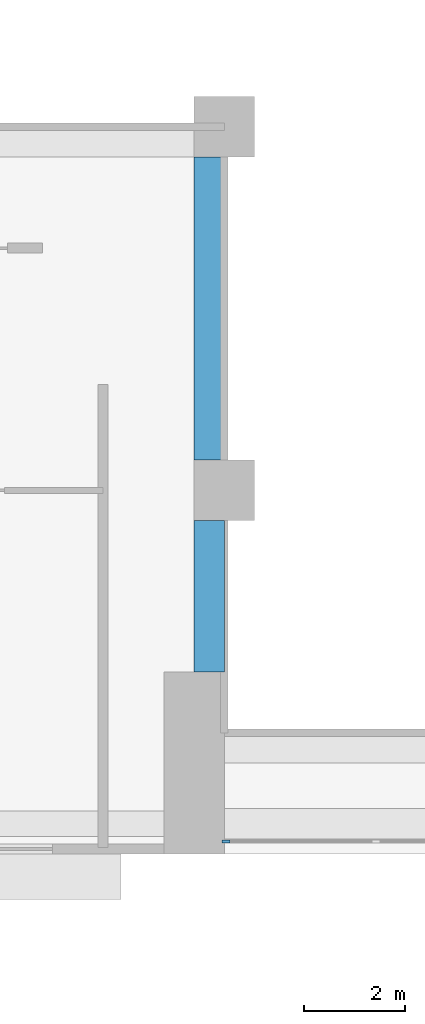
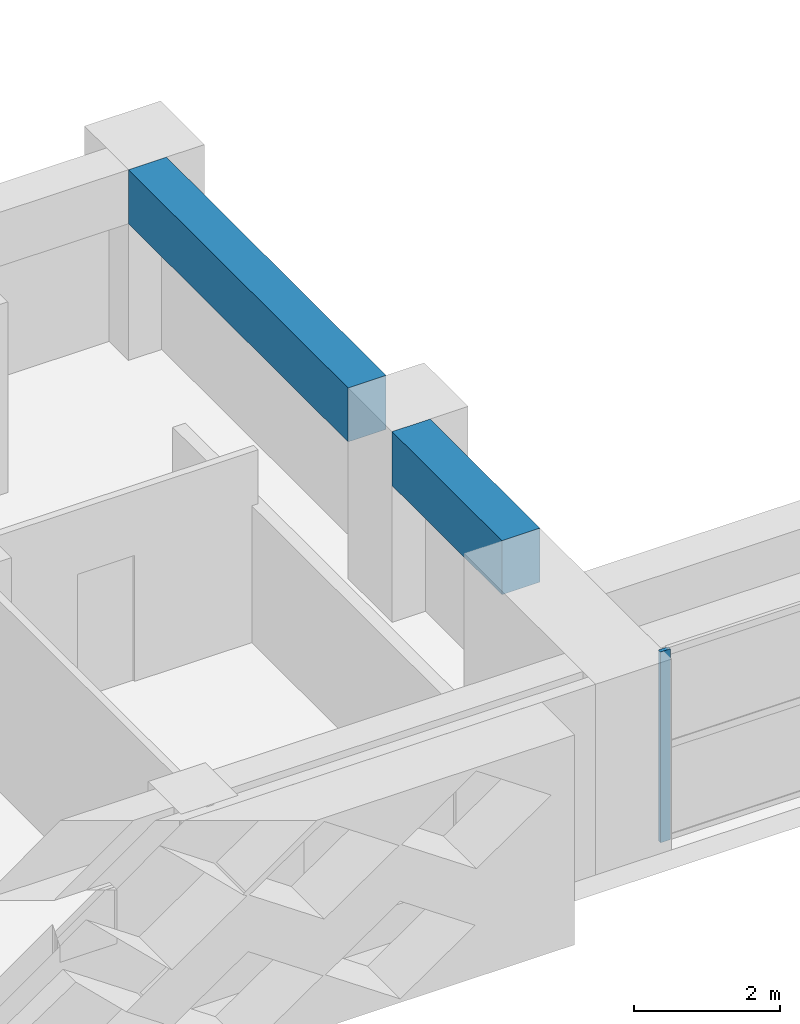
# One storey, part 2 of 17: 2 beams, 1 member, 1 element without a shape of its own.
"""IFC4 building model written with IfcOpenShell, lengths in metres."""

from ifc_helpers import new_model, si_unit, direction, frame, origin, origin_2d, place, context, subcontext, project, spatial, rectangle, extrude, source, transform, mapped, material, layer, layer_set, material_profile, profile_set, type_object, element, aggregate, save


model = new_model("IFC4")

# Units and contexts
model_context = context("Model", 3, precision=1e-05, world=origin(), true_north=direction((0.0, 1.0)))
body_context = subcontext(model_context, "Body", "Model", "MODEL_VIEW")
ifc_project = project(units=[si_unit("LENGTHUNIT", "METRE"), si_unit("AREAUNIT", "SQUARE_METRE"), si_unit("VOLUMEUNIT", "CUBIC_METRE"), si_unit("PLANEANGLEUNIT", "RADIAN"), si_unit("MASSUNIT", "GRAM", prefix="KILO")], contexts=[model_context])

# Site, building, storey
site_placement = place(None, origin())
site = spatial("IfcSite", under=ifc_project, at=site_placement, CompositionType="ELEMENT")
building_placement = place(site_placement, origin())
building = spatial("IfcBuilding", under=site, at=building_placement, Name="Saffron Iwan Residences", CompositionType="ELEMENT")
storey_placement = place(building_placement, frame((0.0, 0.0, 100.5)))
storey = spatial("IfcBuildingStorey", under=building, at=storey_placement, Name="L26", CompositionType="ELEMENT", Elevation=100.5)

# Beams
ifc_material_1 = material(Name="Concrete C60/75", Category="concrete")
ifc_material_profile_1 = material_profile(ifc_material_1, rectangle(XDim=0.60009765625, YDim=0.89990234375, at=origin_2d()), Name="RC 600x900")
ifc_profile_set_1 = profile_set([ifc_material_profile_1], Name="Concrete C60/75")
beam_type = type_object("IfcBeamType", Name="BEAM RC 600x900 C60/75 TOP 3180", PredefinedType="BEAM", material=ifc_profile_set_1)
shared_shape_1 = source(origin(), body_context, "Body", "SweptSolid", [
    extrude(rectangle(XDim=0.60009765625, YDim=0.89990234375, at=origin_2d()), origin(), (0.0, 0.0, 1.0), 3.0),
])
beam_1_placement = place(storey_placement, frame((42.89990234375, 37.199951171875, 2.72998046875), z_axis=(0.0, 1.0, 0.0), x_axis=(-1.0, 0.0, 0.0)))
element("IfcBeam", 1, at=beam_1_placement, inside=storey, type_object=beam_type, Name="Atrium edge beam", PredefinedType="BEAM", context=body_context, shape_type="MappedRepresentation", body=[
    mapped(shared_shape_1, transform((0.0, 0.0, 0.0))),
])
shared_shape_2 = source(origin(), body_context, "Body", "SweptSolid", [
    extrude(rectangle(XDim=0.60009765625, YDim=0.89990234375, at=origin_2d()), origin(), (0.0, 0.0, 1.0), 6.0),
])
beam_2_placement = place(storey_placement, frame((42.89990234375, 41.39990234375, 2.72998046875), z_axis=(0.0, 1.0, 0.0), x_axis=(-1.0, 0.0, 0.0)))
element("IfcBeam", 2, at=beam_2_placement, inside=storey, type_object=beam_type, Name="Atrium edge beam", PredefinedType="BEAM", context=body_context, shape_type="MappedRepresentation", body=[
    mapped(shared_shape_2, transform((0.0, 0.0, 0.0))),
])

# Curtain wall, member
ifc_material_2 = material(Name="Clear glass, laminated double glazed", Category="glass")
ifc_layer = layer(ifc_material_2, 0.199951171875)
ifc_layer_set = layer_set([ifc_layer], Name="Clear glass, laminated double glazed")
curtain_wall_type = type_object("IfcCurtainWallType", Name="CW-B IWAN PORTAL", PredefinedType="NOTDEFINED", material=ifc_layer_set)
curtain_wall_placement = place(storey_placement, origin())
curtain_wall = element("IfcCurtainWall", 3, at=curtain_wall_placement, inside=storey, type_object=curtain_wall_type, Name="Iwan portal glazing L26.1", PredefinedType="NOTDEFINED")
ifc_material_3 = material(Name="Aluminium 6063-T6", Category="aluminium")
ifc_material_profile_2 = material_profile(ifc_material_3, rectangle(XDim=0.06005859375, YDim=0.159912109375, at=origin_2d()), Name="CW-B MULLION 60 x 160")
ifc_profile_set_2 = profile_set([ifc_material_profile_2], Name="Aluminium 6063-T6")
member_type = type_object("IfcMemberType", Name="CW-B MULLION 60 x 160", PredefinedType="MULLION", material=ifc_profile_set_2)
shared_shape_3 = source(origin(), body_context, "Body", "SweptSolid", [
    extrude(rectangle(XDim=0.06005859375, YDim=0.159912109375, at=origin_2d()), origin(), (0.0, 0.0, 1.0), 3.179931640625),
])
member_placement = place(storey_placement, frame((43.22998046875, 33.85009765625, 0.0), z_axis=(0.0, 0.0, 1.0), x_axis=(0.0, 1.0, 0.0)))
member = element("IfcMember", 4, at=member_placement, type_object=member_type, Name="CW-B mullion 1", PredefinedType="MULLION", context=body_context, shape_type="MappedRepresentation", body=[
    mapped(shared_shape_3, transform((0.0, 0.0, 0.0))),
])
aggregate(curtain_wall, [member])

save(model, "model.ifc")
